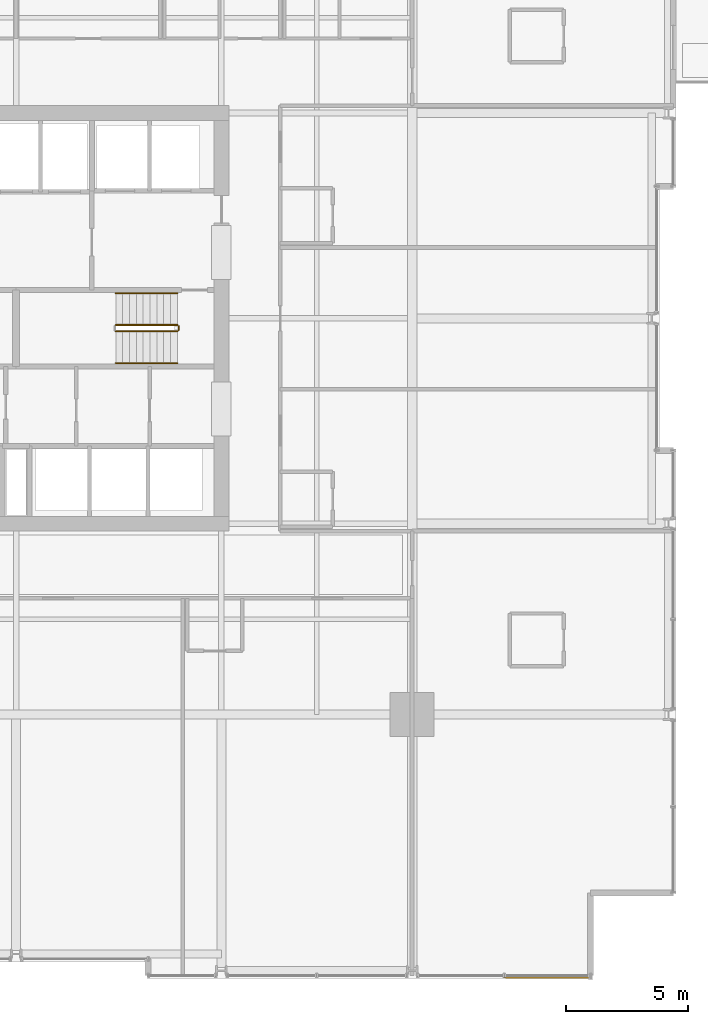
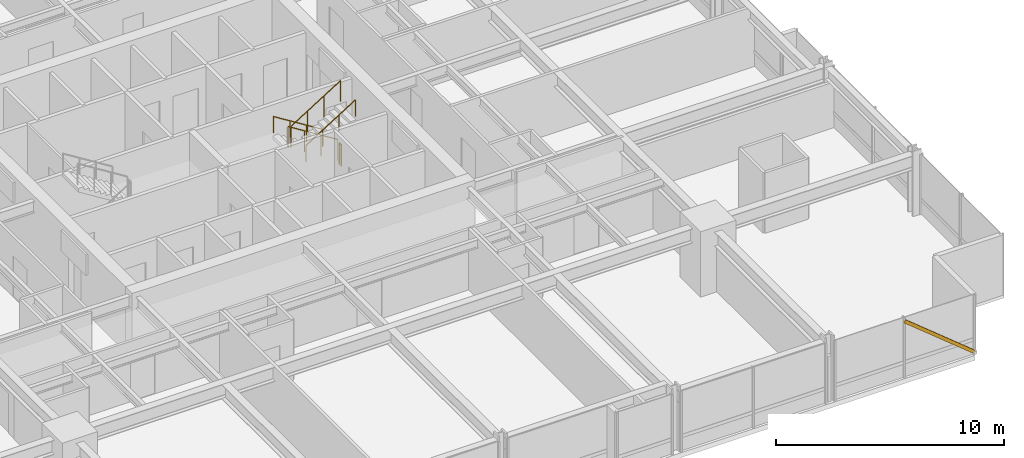
# One storey, part 37 of 38: 5 railings, 1 shading device.
"""IFC4 building model written with IfcOpenShell, lengths in metres."""

from ifc_helpers import new_model, si_unit, direction, frame, origin, origin_2d, place, context, subcontext, project, spatial, hollow_rectangle, circle, extrude, material, material_profile, profile_set, type_object, element, save


model = new_model("IFC4")

# Units and contexts
model_context = context("Model", 3, precision=1e-05, world=origin(), true_north=direction((0.0, 1.0)))
body_context = subcontext(model_context, "Body", "Model", "MODEL_VIEW")
ifc_project = project(units=[si_unit("LENGTHUNIT", "METRE"), si_unit("AREAUNIT", "SQUARE_METRE"), si_unit("VOLUMEUNIT", "CUBIC_METRE"), si_unit("PLANEANGLEUNIT", "RADIAN"), si_unit("MASSUNIT", "GRAM", prefix="KILO")], contexts=[model_context])

# Site, building, storey
site_placement = place(None, origin())
site = spatial("IfcSite", under=ifc_project, at=site_placement, CompositionType="ELEMENT")
building_placement = place(site_placement, origin())
building = spatial("IfcBuilding", under=site, at=building_placement, Name="Drelvath Grand Hotel", CompositionType="ELEMENT")
storey_placement = place(building_placement, frame((0.0, 0.0, 68.199951171875)))
storey = spatial("IfcBuildingStorey", under=building, at=storey_placement, Name="L16", CompositionType="ELEMENT", Elevation=68.199951171875)

# Railings
ifc_material_1 = material(Name="Painted Steel S275", Category="steel")
railing_type_1 = type_object("IfcRailingType", Name="Core Stair Wall Handrail 900", PredefinedType="HANDRAIL", material=ifc_material_1)
railing_1_placement = place(storey_placement, frame((6.60009765625, 28.030029296875, 0.175048828125)))
element("IfcRailing", 1, at=railing_1_placement, inside=storey, type_object=railing_type_1, Name="L16 ST-2 stair handrail 1", PredefinedType="HANDRAIL", context=body_context, shape_type="SweptSolid", body=[
    extrude(circle(Radius=0.02392578125, at=origin_2d()), frame((0.0, 0.0, 0.8759765625), z_axis=(-0.848007534815, 0.0, 0.529984170421), x_axis=(0.0, -1.0, 0.0)), (0.0, 0.0, 1.0), 2.9716796875),
    extrude(circle(Radius=0.02099609375, at=origin_2d()), origin(), (0.0, 0.0, 1.0), 0.851806640625),
    extrude(circle(Radius=0.02099609375, at=origin_2d()), frame((-0.840087890625, 0.0, 0.52490234375)), (0.0, 0.0, 1.0), 0.851806640625),
    extrude(circle(Radius=0.02099609375, at=origin_2d()), frame((-1.679931640625, 0.0, 1.050048828125)), (0.0, 0.0, 1.0), 0.851806640625),
    extrude(circle(Radius=0.02099609375, at=origin_2d()), frame((-2.52001953125, 0.0, 1.574951171875)), (0.0, 0.0, 1.0), 0.851806640625),
])
railing_2_placement = place(storey_placement, frame((4.080078125, 25.169921875, 1.925048828125)))
element("IfcRailing", 2, at=railing_2_placement, inside=storey, type_object=railing_type_1, Name="L16 ST-2 stair handrail 2", PredefinedType="HANDRAIL", context=body_context, shape_type="SweptSolid", body=[
    extrude(circle(Radius=0.02392578125, at=origin_2d()), frame((0.0, 0.0, 0.8759765625), z_axis=(0.848007534815, 0.0, 0.529984170421), x_axis=(0.0, 1.0, 0.0)), (0.0, 0.0, 1.0), 2.9716796875),
    extrude(circle(Radius=0.02099609375, at=origin_2d()), origin(), (0.0, 0.0, 1.0), 0.851806640625),
    extrude(circle(Radius=0.02099609375, at=origin_2d()), frame((0.840087890625, 0.0, 0.52490234375)), (0.0, 0.0, 1.0), 0.851806640625),
    extrude(circle(Radius=0.02099609375, at=origin_2d()), frame((1.679931640625, 0.0, 1.050048828125)), (0.0, 0.0, 1.0), 0.851806640625),
    extrude(circle(Radius=0.02099609375, at=origin_2d()), frame((2.52001953125, 0.0, 1.574951171875)), (0.0, 0.0, 1.0), 0.851806640625),
])
railing_type_2 = type_object("IfcRailingType", Name="Core Stair Well Guardrail 1100", PredefinedType="GUARDRAIL", material=ifc_material_1)
railing_3_placement = place(storey_placement, frame((6.60009765625, 26.72998046875, 0.175048828125)))
element("IfcRailing", 3, at=railing_3_placement, inside=storey, type_object=railing_type_2, Name="L16 ST-2 stair guard 1", PredefinedType="GUARDRAIL", context=body_context, shape_type="SweptSolid", body=[
    extrude(circle(Radius=0.02392578125, at=origin_2d()), frame((0.0, 0.0, 1.1259765625), z_axis=(-0.848007534815, 0.0, 0.529984170421), x_axis=(0.0, -1.0, 0.0)), (0.0, 0.0, 1.0), 2.9716796875),
    extrude(circle(Radius=0.02099609375, at=origin_2d()), origin(), (0.0, 0.0, 1.0), 1.101806640625),
    extrude(circle(Radius=0.02099609375, at=origin_2d()), frame((-0.840087890625, 0.0, 0.52490234375)), (0.0, 0.0, 1.0), 1.101806640625),
    extrude(circle(Radius=0.02099609375, at=origin_2d()), frame((-1.679931640625, 0.0, 1.050048828125)), (0.0, 0.0, 1.0), 1.101806640625),
    extrude(circle(Radius=0.02099609375, at=origin_2d()), frame((-2.52001953125, 0.0, 1.574951171875)), (0.0, 0.0, 1.0), 1.101806640625),
])
railing_4_placement = place(storey_placement, frame((4.080078125, 26.469970703125, 1.925048828125)))
element("IfcRailing", 4, at=railing_4_placement, inside=storey, type_object=railing_type_2, Name="L16 ST-2 stair guard 3", PredefinedType="GUARDRAIL", context=body_context, shape_type="SweptSolid", body=[
    extrude(circle(Radius=0.02392578125, at=origin_2d()), frame((0.0, 0.0, 1.1259765625), z_axis=(0.848007534815, 0.0, 0.529984170421), x_axis=(0.0, 1.0, 0.0)), (0.0, 0.0, 1.0), 2.9716796875),
    extrude(circle(Radius=0.02099609375, at=origin_2d()), origin(), (0.0, 0.0, 1.0), 1.101806640625),
    extrude(circle(Radius=0.02099609375, at=origin_2d()), frame((0.840087890625, 0.0, 0.52490234375)), (0.0, 0.0, 1.0), 1.101806640625),
    extrude(circle(Radius=0.02099609375, at=origin_2d()), frame((1.679931640625, 0.0, 1.050048828125)), (0.0, 0.0, 1.0), 1.101806640625),
    extrude(circle(Radius=0.02099609375, at=origin_2d()), frame((2.52001953125, 0.0, 1.574951171875)), (0.0, 0.0, 1.0), 1.101806640625),
])
railing_5_placement = place(storey_placement, frame((6.64990234375, 26.679931640625, 0.0)))
element("IfcRailing", 5, at=railing_5_placement, inside=storey, type_object=railing_type_2, Name="L16 ST-2 stair guard 4", PredefinedType="GUARDRAIL", context=body_context, shape_type="SweptSolid", body=[
    extrude(circle(Radius=0.02392578125, at=origin_2d()), frame((0.0, 0.0, 1.1259765625), z_axis=(0.0, -1.0, 0.0), x_axis=(1.0, 0.0, 0.0)), (0.0, 0.0, 1.0), 0.159912109375),
    extrude(circle(Radius=0.02099609375, at=origin_2d()), origin(), (0.0, 0.0, 1.0), 1.101806640625),
    extrude(circle(Radius=0.02099609375, at=origin_2d()), frame((0.0, -0.159912109375, 0.0)), (0.0, 0.0, 1.0), 1.101806640625),
])

# Shading device
ifc_material_2 = material(Name="Warm Bronze Anodised Aluminium", Category="aluminium")
ifc_material_profile = material_profile(ifc_material_2, hollow_rectangle(XDim=0.06494140625, YDim=0.159912109375, WallThickness=0.00390625, at=origin_2d()), Name="HSS160X65X4")
ifc_profile_set = profile_set([ifc_material_profile], Name="Warm Bronze Anodised Aluminium")
shading_device_type = type_object("IfcShadingDeviceType", Name="Diagonal Solar Fin Warm Bronze Anodised HSS160X65X4", PredefinedType="USERDEFINED", material=ifc_profile_set)
shading_device_placement = place(storey_placement, frame((23.5, 0.0400390625, 0.179931640625), z_axis=(-0.775296156534, 0.0, 0.631597870218), x_axis=(0.0, -1.0, 0.0)))
element("IfcShadingDevice", 6, at=shading_device_placement, inside=storey, type_object=shading_device_type, Name="L16 Diagonal Anodised Fin CW02-L16-SE3", ObjectType="FIN", PredefinedType="USERDEFINED", context=body_context, shape_type="SweptSolid", body=[
    extrude(hollow_rectangle(XDim=0.06494140625, YDim=0.159912109375, WallThickness=0.00390625, at=origin_2d()), origin(), (0.0, 0.0, 1.0), 4.56005859375),
])

save(model, "model.ifc")
